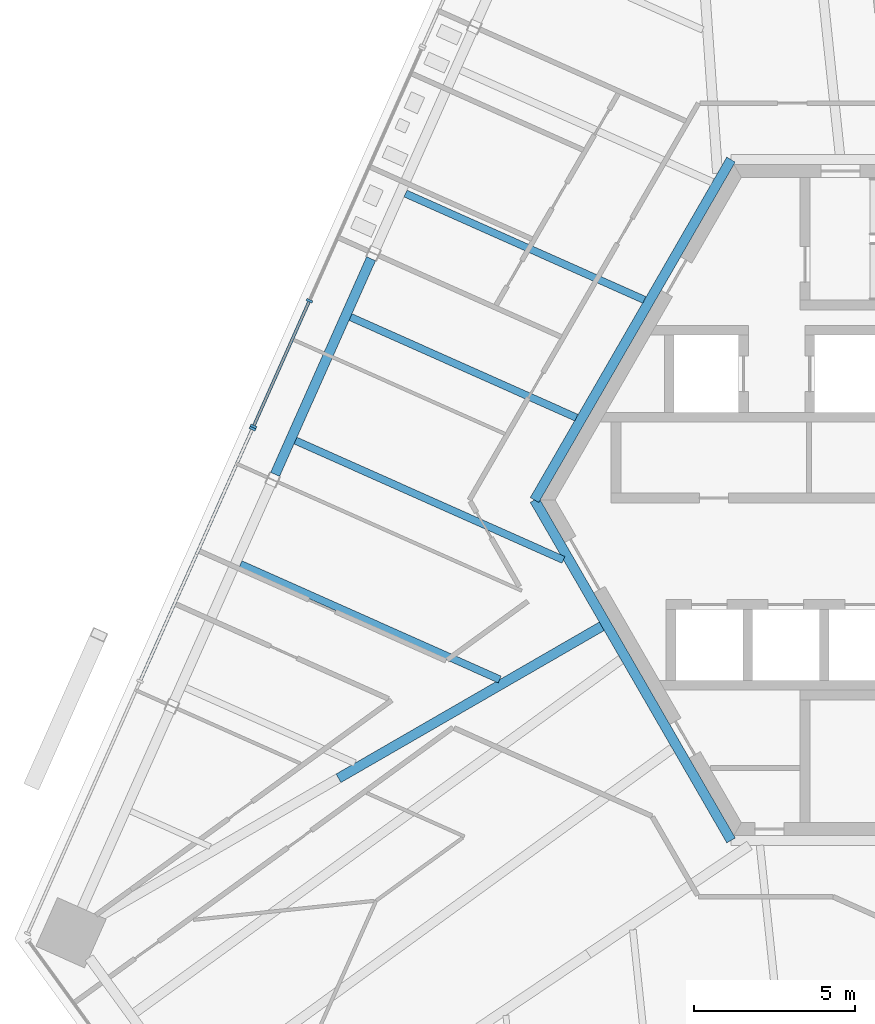
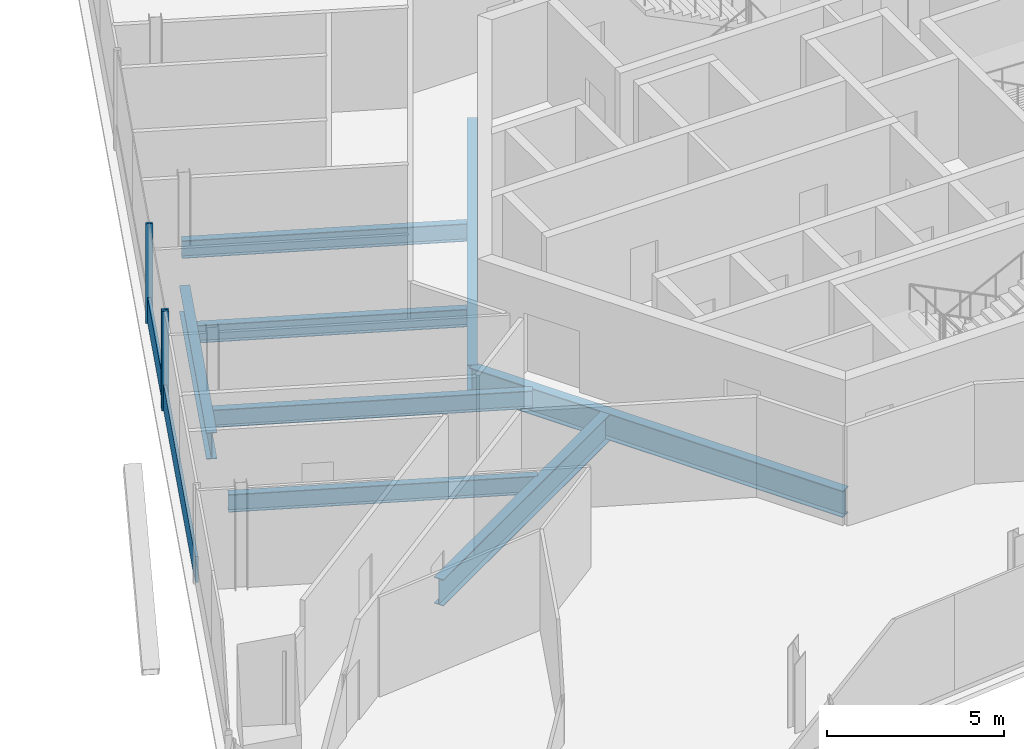
# One storey, part 5 of 19: 8 beams, 5 members, 2 elements without a shape of their own.
"""IFC4 building model written with IfcOpenShell, lengths in metres."""

from ifc_helpers import new_model, si_unit, direction, frame, origin, origin_2d, place, context, subcontext, project, spatial, rectangle, i_section, extrude, source, transform, mapped, material, material_profile, profile_set, type_object, element, aggregate, save


model = new_model("IFC4")

# Units and contexts
model_context = context("Model", 3, precision=1e-05, world=origin(), true_north=direction((0.0, 1.0)))
body_context = subcontext(model_context, "Body", "Model", "MODEL_VIEW")
ifc_project = project(units=[si_unit("LENGTHUNIT", "METRE"), si_unit("AREAUNIT", "SQUARE_METRE"), si_unit("VOLUMEUNIT", "CUBIC_METRE"), si_unit("PLANEANGLEUNIT", "RADIAN"), si_unit("MASSUNIT", "GRAM", prefix="KILO")], contexts=[model_context])

# Site, building, storey
site_placement = place(None, origin())
site = spatial("IfcSite", under=ifc_project, at=site_placement, CompositionType="ELEMENT")
building_placement = place(site_placement, origin())
building = spatial("IfcBuilding", under=site, at=building_placement, Name="Triune Harvest Tower", CompositionType="ELEMENT")
storey_placement = place(building_placement, frame((0.0, 0.0, 223.300048828125)))
storey = spatial("IfcBuildingStorey", under=building, at=storey_placement, Name="L58", CompositionType="ELEMENT", Elevation=223.300048828125)

# Beams
ifc_material_1 = material(Name="Steel ASTM A992 Gr 50", Category="steel")
ifc_material_profile_1 = material_profile(ifc_material_1, i_section(OverallWidth=0.3046875, OverallDepth=0.914306640625, WebThickness=0.0166015625, FlangeThickness=0.02587890625, at=origin_2d()), Name="W36x160")
ifc_profile_set_1 = profile_set([ifc_material_profile_1], Name="Steel ASTM A992 Gr 50")
beam_type_1 = type_object("IfcBeamType", Name="CG-1 Core ring girder W36x160", PredefinedType="BEAM", material=ifc_profile_set_1)
shared_shape_1 = source(origin(), body_context, "Body", "SweptSolid", [
    extrude(i_section(OverallWidth=0.3046875, OverallDepth=0.914306640625, WebThickness=0.0166015625, FlangeThickness=0.02587890625, at=origin_2d()), origin(), (0.0, 0.0, 1.0), 12.176025390625),
])
for number, where, z_axis, x_axis, name in (
    (1, (-6.087890625, 10.544677734375, -0.6171875), (-0.5000099932, -0.866019634131, 0.0), (0.866019634131, -0.5000099932, 0.0), "beam/L58/CG3"),
    (2, (-12.176025390625, 0.0, -0.6171875), (0.5000099932, -0.866019634131, 0.0), (0.866019634131, 0.5000099932, 0.0), "beam/L58/CG4"),
):
    element("IfcBeam", number, at=place(storey_placement, frame(where, z_axis=z_axis, x_axis=x_axis)), inside=storey, type_object=beam_type_1, Name=name, PredefinedType="BEAM", context=body_context, shape_type="MappedRepresentation", body=[
        mapped(shared_shape_1, transform((0.0, 0.0, 0.0), scale=1.0)),
    ])
ifc_material_2 = material(Name="Steel ASTM A992 Gr 50", Category="steel")
ifc_material_profile_2 = material_profile(ifc_material_2, i_section(OverallWidth=0.3046875, OverallDepth=0.914306640625, WebThickness=0.0166015625, FlangeThickness=0.02587890625, at=origin_2d()), Name="W36x160")
ifc_profile_set_2 = profile_set([ifc_material_profile_2], Name="Steel ASTM A992 Gr 50")
beam_type_2 = type_object("IfcBeamType", Name="HG-3 Hip girder W36x160", PredefinedType="BEAM", material=ifc_profile_set_2)
shared_shape_2 = source(origin(), body_context, "Body", "SweptSolid", [
    extrude(i_section(OverallWidth=0.3046875, OverallDepth=0.914306640625, WebThickness=0.0166015625, FlangeThickness=0.02587890625, at=origin_2d()), origin(), (0.0, 0.0, 1.0), 9.416259765625),
])
beam_1_placement = place(storey_placement, frame((-18.247802734375, -8.62060546875, -0.6171875), z_axis=(0.866032742664, 0.499987288472, 0.0), x_axis=(-0.499987288472, 0.866032742664, 0.0)))
element("IfcBeam", 3, at=beam_1_placement, inside=storey, type_object=beam_type_2, Name="beam/L58/HG6", PredefinedType="BEAM", context=body_context, shape_type="MappedRepresentation", body=[
    mapped(shared_shape_2, transform((0.0, 0.0, 0.0), scale=1.0)),
])
ifc_material_3 = material(Name="Steel ASTM A992 Gr 50", Category="steel")
ifc_material_profile_3 = material_profile(ifc_material_3, i_section(OverallWidth=0.3046875, OverallDepth=0.914306640625, WebThickness=0.0166015625, FlangeThickness=0.02587890625, at=origin_2d()), Name="W36x160")
ifc_profile_set_3 = profile_set([ifc_material_profile_3], Name="Steel ASTM A992 Gr 50")
beam_type_3 = type_object("IfcBeamType", Name="SB-1 Spandrel beam W36x160", PredefinedType="SPANDREL", material=ifc_profile_set_3)
shared_shape_3 = source(origin(), body_context, "Body", "SweptSolid", [
    extrude(i_section(OverallWidth=0.3046875, OverallDepth=0.914306640625, WebThickness=0.0166015625, FlangeThickness=0.02587890625, at=origin_2d()), origin(), (0.0, 0.0, 1.0), 7.311279296875),
])
beam_2_placement = place(storey_placement, frame((-17.238525390625, 7.4736328125, -0.6171875), z_axis=(-0.406748727305, -0.913540077301, 0.0), x_axis=(0.913540077301, -0.406748727305, 0.0)))
element("IfcBeam", 4, at=beam_2_placement, inside=storey, type_object=beam_type_3, Name="beam/L58/SB12", PredefinedType="SPANDREL", context=body_context, shape_type="MappedRepresentation", body=[
    mapped(shared_shape_3, transform((0.0, 0.0, 0.0), scale=1.0)),
])
ifc_material_4 = material(Name="Steel ASTM A992 Gr 50", Category="steel")
ifc_material_profile_4 = material_profile(ifc_material_4, i_section(OverallWidth=0.22900390625, OverallDepth=0.612060546875, WebThickness=0.011962890625, FlangeThickness=0.01953125, at=origin_2d()), Name="W24x84")
ifc_profile_set_4 = profile_set([ifc_material_profile_4], Name="Steel ASTM A992 Gr 50")
beam_type_4 = type_object("IfcBeamType", Name="JT-3 Floor joist W24x84", PredefinedType="JOIST", material=ifc_profile_set_4)
shared_shape_4 = source(origin(), body_context, "Body", "SweptSolid", [
    extrude(i_section(OverallWidth=0.22900390625, OverallDepth=0.612060546875, WebThickness=0.011962890625, FlangeThickness=0.01953125, at=origin_2d()), origin(), (0.0, 0.0, 1.0), 8.099609375),
])
beam_3_placement = place(storey_placement, frame((-16.172607421875, 9.4931640625, -0.466064453125), z_axis=(0.913545356779, -0.406736869618, 0.0), x_axis=(0.406736869618, 0.913545356779, 0.0)))
element("IfcBeam", 5, at=beam_3_placement, inside=storey, type_object=beam_type_4, Name="beam/L58/JT17", PredefinedType="JOIST", context=body_context, shape_type="MappedRepresentation", body=[
    mapped(shared_shape_4, transform((0.0, 0.0, 0.0), scale=1.0)),
])
shared_shape_5 = source(origin(), body_context, "Body", "SweptSolid", [
    extrude(i_section(OverallWidth=0.22900390625, OverallDepth=0.612060546875, WebThickness=0.011962890625, FlangeThickness=0.01953125, at=origin_2d()), origin(), (0.0, 0.0, 1.0), 7.659423828125),
])
beam_4_placement = place(storey_placement, frame((-17.876220703125, 5.66650390625, -0.466064453125), z_axis=(0.913536623341, -0.406756484663, 0.0), x_axis=(0.406756484663, 0.913536623341, 0.0)))
element("IfcBeam", 6, at=beam_4_placement, inside=storey, type_object=beam_type_4, Name="beam/L58/JT18", PredefinedType="JOIST", context=body_context, shape_type="MappedRepresentation", body=[
    mapped(shared_shape_5, transform((0.0, 0.0, 0.0), scale=1.0)),
])
shared_shape_6 = source(origin(), body_context, "Body", "SweptSolid", [
    extrude(i_section(OverallWidth=0.22900390625, OverallDepth=0.612060546875, WebThickness=0.011962890625, FlangeThickness=0.01953125, at=origin_2d()), origin(), (0.0, 0.0, 1.0), 9.084716796875),
])
beam_5_placement = place(storey_placement, frame((-19.580078125, 1.83984375, -0.466064453125), z_axis=(0.913546495421, -0.406734312179, 0.0), x_axis=(0.406734312179, 0.913546495421, 0.0)))
element("IfcBeam", 7, at=beam_5_placement, inside=storey, type_object=beam_type_4, Name="beam/L58/JT19", PredefinedType="JOIST", context=body_context, shape_type="MappedRepresentation", body=[
    mapped(shared_shape_6, transform((0.0, 0.0, 0.0), scale=1.0)),
])
shared_shape_7 = source(origin(), body_context, "Body", "SweptSolid", [
    extrude(i_section(OverallWidth=0.22900390625, OverallDepth=0.612060546875, WebThickness=0.011962890625, FlangeThickness=0.01953125, at=origin_2d()), origin(), (0.0, 0.0, 1.0), 8.789306640625),
])
beam_6_placement = place(storey_placement, frame((-21.28369140625, -1.98681640625, -0.466064453125), z_axis=(0.913542165142, -0.406744038074, 0.0), x_axis=(0.406744038074, 0.913542165142, 0.0)))
element("IfcBeam", 8, at=beam_6_placement, inside=storey, type_object=beam_type_4, Name="beam/L58/JT20", PredefinedType="JOIST", context=body_context, shape_type="MappedRepresentation", body=[
    mapped(shared_shape_7, transform((0.0, 0.0, 0.0), scale=1.0)),
])

# Curtain wall, members
ifc_material_5 = material(Name="Aluminium bronze anodised", Category="aluminium")
curtain_wall_type_1 = type_object("IfcCurtainWallType", Name="CW-1 Tower stick curtain wall", PredefinedType="NOTDEFINED", material=ifc_material_5)
curtain_wall_1_placement = place(storey_placement, origin())
curtain_wall_1 = element("IfcCurtainWall", 9, at=curtain_wall_1_placement, inside=storey, type_object=curtain_wall_type_1, Name="CW-1 B6-F3 L58 run 1001")
ifc_material_6 = material(Name="Aluminium bronze anodised", Category="aluminium")
ifc_material_profile_5 = material_profile(ifc_material_6, rectangle(XDim=0.199951171875, YDim=0.074951171875, at=origin_2d()), Name="MU-1 mullion 75 x 200")
ifc_profile_set_5 = profile_set([ifc_material_profile_5], Name="Aluminium bronze anodised")
member_type_1 = type_object("IfcMemberType", Name="MU-1 mullion 75 x 200", PredefinedType="MULLION", material=ifc_profile_set_5)
shared_shape_8 = source(origin(), body_context, "Body", "SweptSolid", [
    extrude(rectangle(XDim=0.199951171875, YDim=0.074951171875, at=origin_2d()), origin(), (0.0, 0.0, 1.0), 3.43994140625),
])
member_1_placement = place(storey_placement, frame((-19.148681640625, 6.172119140625, 0.0), z_axis=(0.0, 0.0, 1.0), x_axis=(0.913542187998, -0.406743986739, 0.0)))
member_1 = element("IfcMember", 10, at=member_1_placement, type_object=member_type_1, Name="CW-1 mullion B6-F3 1001.3", PredefinedType="MULLION", context=body_context, shape_type="MappedRepresentation", body=[
    mapped(shared_shape_8, transform((0.0, 0.0, 0.0), scale=1.0)),
])
member_2_placement = place(storey_placement, frame((-20.88232421875, 2.278076171875, 0.0), z_axis=(0.0, 0.0, 1.0), x_axis=(0.913542187998, -0.406743986739, 0.0)))
member_2 = element("IfcMember", 11, at=member_2_placement, type_object=member_type_1, Name="CW-1 mullion B6-F3 1001.4", PredefinedType="MULLION", context=body_context, shape_type="MappedRepresentation", body=[
    mapped(shared_shape_8, transform((0.0, 0.0, 0.0), scale=1.0)),
])

ifc_material_7 = material(Name="Aluminium bronze anodised", Category="aluminium")
curtain_wall_type_2 = type_object("IfcCurtainWallType", Name="CW-7 Tower stick curtain wall with insulated spandrel infill", PredefinedType="NOTDEFINED", material=ifc_material_7)
curtain_wall_2_placement = place(storey_placement, origin())
curtain_wall_2 = element("IfcCurtainWall", 12, at=curtain_wall_2_placement, inside=storey, type_object=curtain_wall_type_2, Name="CW-7 B6-F3 L58 run 2001")
member_3_placement = place(storey_placement, frame((-20.912841796875, 2.20947265625, 0.0), z_axis=(0.0, 0.0, 1.0), x_axis=(0.913545906768, -0.406735634323, 0.0)))
member_3 = element("IfcMember", 13, at=member_3_placement, type_object=member_type_1, Name="CW-7 mullion B6-F3 2001.1", PredefinedType="MULLION", context=body_context, shape_type="MappedRepresentation", body=[
    mapped(shared_shape_8, transform((0.0, 0.0, 0.0), scale=1.0)),
])
ifc_material_8 = material(Name="Aluminium bronze anodised", Category="aluminium")
ifc_material_profile_6 = material_profile(ifc_material_8, rectangle(XDim=0.090087890625, YDim=0.89990234375, at=origin_2d()), Name="TR-1 transom 90 x 900")
ifc_profile_set_6 = profile_set([ifc_material_profile_6], Name="Aluminium bronze anodised")
member_type_2 = type_object("IfcMemberType", Name="TR-1 transom 90 x 900", PredefinedType="USERDEFINED", material=ifc_profile_set_6)
shared_shape_9 = source(origin(), body_context, "Body", "SweptSolid", [
    extrude(rectangle(XDim=0.090087890625, YDim=0.89990234375, at=origin_2d()), origin(), (0.0, 0.0, 1.0), 8.487548828125),
])
member_4_placement = place(storey_placement, frame((-20.92822265625, 2.17529296875, 0.449951171875), z_axis=(-0.406736215364, -0.913545648072, 0.0), x_axis=(0.913545648072, -0.406736215364, 0.0)))
member_4 = element("IfcMember", 14, at=member_4_placement, type_object=member_type_2, Name="CW-7 transom B6-F3 2001.1", ObjectType="TRANSOM", PredefinedType="USERDEFINED", context=body_context, shape_type="MappedRepresentation", body=[
    mapped(shared_shape_9, transform((0.0, 0.0, 0.0), scale=1.0)),
])
aggregate(curtain_wall_2, [member_3, member_4])

# Member
shared_shape_10 = source(origin(), body_context, "Body", "SweptSolid", [
    extrude(rectangle(XDim=0.090087890625, YDim=0.89990234375, at=origin_2d()), origin(), (0.0, 0.0, 1.0), 4.1875),
])
member_5_placement = place(storey_placement, frame((-19.163818359375, 6.1376953125, 0.449951171875), z_axis=(-0.40677127315, -0.913530038554, 0.0), x_axis=(0.913530038554, -0.40677127315, 0.0)))
member_5 = element("IfcMember", 15, at=member_5_placement, type_object=member_type_2, Name="CW-1 transom B6-F3 1001.2", ObjectType="TRANSOM", PredefinedType="USERDEFINED", context=body_context, shape_type="MappedRepresentation", body=[
    mapped(shared_shape_10, transform((0.0, 0.0, 0.0), scale=1.0)),
])

aggregate(curtain_wall_1, [member_1, member_2, member_5])

save(model, "model.ifc")
